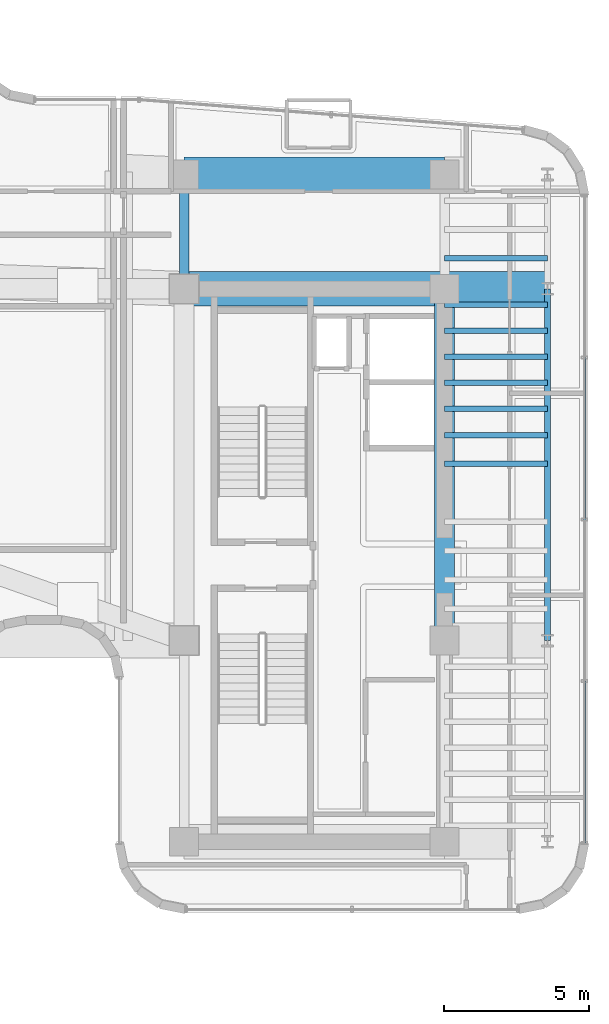
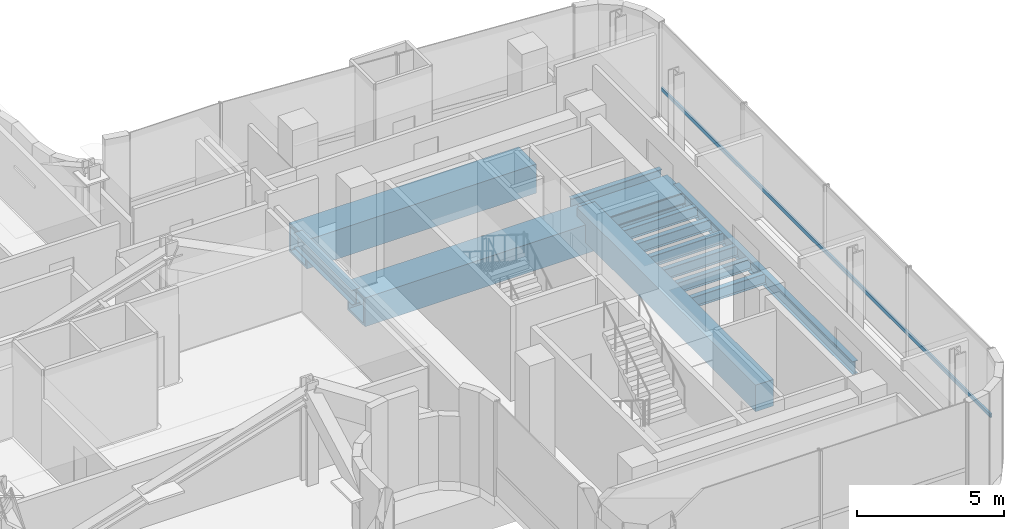
# One storey, part 15 of 37: 14 beams, 1 member, 1 element without a shape of its own.
"""IFC4 building model written with IfcOpenShell, lengths in metres."""

from ifc_helpers import new_model, si_unit, direction, frame, origin, origin_2d, place, context, subcontext, project, spatial, rectangle, hollow_rectangle, i_section, extrude, source, transform, mapped, material, material_profile, profile_set, type_object, element, aggregate, save


model = new_model("IFC4")

# Units and contexts
model_context = context("Model", 3, precision=1e-05, world=origin(), true_north=direction((0.0, 1.0)))
body_context = subcontext(model_context, "Body", "Model", "MODEL_VIEW")
ifc_project = project(units=[si_unit("LENGTHUNIT", "METRE"), si_unit("AREAUNIT", "SQUARE_METRE"), si_unit("VOLUMEUNIT", "CUBIC_METRE"), si_unit("PLANEANGLEUNIT", "RADIAN"), si_unit("MASSUNIT", "GRAM", prefix="KILO")], contexts=[model_context])

# Site, building, storey
site_placement = place(None, origin())
site = spatial("IfcSite", under=ifc_project, at=site_placement, CompositionType="ELEMENT")
building_placement = place(site_placement, origin())
building = spatial("IfcBuilding", under=site, at=building_placement, Name="Valdorenza Pilgrim Sanctuary Tower", CompositionType="ELEMENT")
storey_placement = place(building_placement, frame((0.0, 0.0, 172.300048828125)))
storey = spatial("IfcBuildingStorey", under=building, at=storey_placement, Name="L44", CompositionType="ELEMENT", Elevation=172.300048828125)

# Beams
ifc_material_1 = material(Name="Concrete C50/60", Category="concrete")
ifc_material_profile_1 = material_profile(ifc_material_1, rectangle(XDim=0.699951171875, YDim=1.10009765625, at=origin_2d()), Name="RC 1100x700")
ifc_profile_set_1 = profile_set([ifc_material_profile_1], Name="Concrete C50/60")
beam_type_1 = type_object("IfcBeamType", Name="STR-BM-LNT-1100", PredefinedType="LINTEL", material=ifc_profile_set_1)
shared_shape_1 = source(origin(), body_context, "Body", "SweptSolid", [
    extrude(rectangle(XDim=0.699951171875, YDim=1.10009765625, at=origin_2d()), origin(), (0.0, 0.0, 1.0), 12.150146484375),
])
beam_1_placement = place(storey_placement, frame((24.85009765625, -2.60009765625, -0.590087890625), z_axis=(0.0, 1.0, 0.0), x_axis=(-1.0, 0.0, 0.0)))
element("IfcBeam", 1, at=beam_1_placement, inside=storey, type_object=beam_type_1, Name="L44 Core B East Coupling Lintel Girder", PredefinedType="LINTEL", context=body_context, shape_type="MappedRepresentation", body=[
    mapped(shared_shape_1, transform((0.0, 0.0, 0.0), x_axis=(1.0, 0.0, 0.0), y_axis=(0.0, 1.0, 0.0), z_axis=(0.0, 0.0, 1.0), scale=1.0)),
])
ifc_material_2 = material(Name="Steel ASTM A992 Grade 50", Category="steel")
ifc_material_profile_2 = material_profile(ifc_material_2, i_section(OverallWidth=0.323974609375, OverallDepth=0.611083984375, WebThickness=0.0126953125, FlangeThickness=0.01904296875, at=origin_2d()), Name="W24X104")
ifc_profile_set_2 = profile_set([ifc_material_profile_2], Name="Steel ASTM A992 Grade 50")
beam_type_2 = type_object("IfcBeamType", Name="STR-BM-GRD-W24B", PredefinedType="BEAM", material=ifc_profile_set_2)
shared_shape_2 = source(origin(), body_context, "Body", "SweptSolid", [
    extrude(i_section(OverallWidth=0.323974609375, OverallDepth=0.611083984375, WebThickness=0.0126953125, FlangeThickness=0.01904296875, at=origin_2d()), origin(), (0.0, 0.0, 1.0), 3.949951171875),
])
beam_2_placement = place(storey_placement, frame((15.85009765625, 9.550048828125, -0.70556640625), z_axis=(0.0, 1.0, 0.0), x_axis=(-1.0, 0.0, 0.0)))
element("IfcBeam", 2, at=beam_2_placement, inside=storey, type_object=beam_type_2, Name="L44 Core Tie Girder CB-W-N1N2", PredefinedType="BEAM", context=body_context, shape_type="MappedRepresentation", body=[
    mapped(shared_shape_2, transform((0.0, 0.0, 0.0), x_axis=(1.0, 0.0, 0.0), y_axis=(0.0, 1.0, 0.0), z_axis=(0.0, 0.0, 1.0), scale=1.0)),
])
ifc_material_3 = material(Name="Steel ASTM A572 Grade 42", Category="steel")
ifc_material_profile_3 = material_profile(ifc_material_3, hollow_rectangle(XDim=1.199951171875, YDim=1.199951171875, WallThickness=0.090087890625, at=origin_2d()), Name="BOX 1200x1200x90")
ifc_profile_set_3 = profile_set([ifc_material_profile_3], Name="Steel ASTM A572 Grade 42")
beam_type_3 = type_object("IfcBeamType", Name="STR-BM-TRF-1200", PredefinedType="BEAM", material=ifc_profile_set_3)
shared_shape_3 = source(origin(), body_context, "Body", "SweptSolid", [
    extrude(hollow_rectangle(XDim=1.199951171875, YDim=1.199951171875, WallThickness=0.090087890625, at=origin_2d()), origin(), (0.0, 0.0, 1.0), 9.0),
])
for number, where, z_axis, x_axis, name in (
    (3, (15.85009765625, 9.550048828125, -1.0), (1.0, 0.0, 0.0), (0.0, 1.0, 0.0), "L44 Transfer Girder CB-XC-N1"),
    (4, (15.85009765625, 13.5, -1.0), (1.0, 0.0, 0.0), (0.0, 1.0, 0.0), "L44 Transfer Girder CB-XC-N2"),
):
    element("IfcBeam", number, at=place(storey_placement, frame(where, z_axis=z_axis, x_axis=x_axis)), inside=storey, type_object=beam_type_3, Name=name, PredefinedType="BEAM", context=body_context, shape_type="MappedRepresentation", body=[
        mapped(shared_shape_3, transform((0.0, 0.0, 0.0), x_axis=(1.0, 0.0, 0.0), y_axis=(0.0, 1.0, 0.0), z_axis=(0.0, 0.0, 1.0), scale=1.0)),
    ])
shared_shape_4 = source(origin(), body_context, "Body", "SweptSolid", [
    extrude(hollow_rectangle(XDim=1.199951171875, YDim=1.199951171875, WallThickness=0.090087890625, at=origin_2d()), origin(), (0.0, 0.0, 1.0), 3.5498046875),
])
beam_3_placement = place(storey_placement, frame((24.85009765625, 9.550048828125, -1.0), z_axis=(1.0, 0.0, 0.0), x_axis=(0.0, 1.0, 0.0)))
element("IfcBeam", 5, at=beam_3_placement, inside=storey, type_object=beam_type_3, Name="L44 Transfer Girder WB-XE-N1", PredefinedType="BEAM", context=body_context, shape_type="MappedRepresentation", body=[
    mapped(shared_shape_4, transform((0.0, 0.0, 0.0), x_axis=(1.0, 0.0, 0.0), y_axis=(0.0, 1.0, 0.0), z_axis=(0.0, 0.0, 1.0), scale=1.0)),
])
ifc_material_profile_4 = material_profile(ifc_material_2, i_section(OverallWidth=0.19091796875, OverallDepth=0.45703125, WebThickness=0.009033203125, FlangeThickness=0.014404296875, at=origin_2d()), Name="W18X50")
ifc_profile_set_4 = profile_set([ifc_material_profile_4], Name="Steel ASTM A992 Grade 50")
beam_type_4 = type_object("IfcBeamType", Name="STR-BM-JST-W18B", PredefinedType="JOIST", material=ifc_profile_set_4)
shared_shape_5 = source(origin(), body_context, "Body", "SweptSolid", [
    extrude(i_section(OverallWidth=0.19091796875, OverallDepth=0.45703125, WebThickness=0.009033203125, FlangeThickness=0.014404296875, at=origin_2d()), origin(), (0.0, 0.0, 1.0), 3.5498046875),
])
for number, where, z_axis, x_axis, name in (
    (6, (24.85009765625, 3.5, -0.628662109375), (1.0, 0.0, 0.0), (0.0, 1.0, 0.0), "L44 Composite Floor Joist JST-WB-12"),
    (7, (24.85009765625, 4.5, -0.628662109375), (1.0, 0.0, 0.0), (0.0, 1.0, 0.0), "L44 Composite Floor Joist JST-WB-13"),
    (8, (24.85009765625, 5.39990234375, -0.628662109375), (1.0, 0.0, 0.0), (0.0, 1.0, 0.0), "L44 Composite Floor Joist JST-WB-14"),
    (9, (24.85009765625, 6.300048828125, -0.628662109375), (1.0, 0.0, 0.0), (0.0, 1.0, 0.0), "L44 Composite Floor Joist JST-WB-15"),
    (10, (24.85009765625, 7.199951171875, -0.628662109375), (1.0, 0.0, 0.0), (0.0, 1.0, 0.0), "L44 Composite Floor Joist JST-WB-16"),
    (11, (24.85009765625, 8.10009765625, -0.628662109375), (1.0, 0.0, 0.0), (0.0, 1.0, 0.0), "L44 Composite Floor Joist JST-WB-17"),
    (12, (24.85009765625, 9.0, -0.628662109375), (1.0, 0.0, 0.0), (0.0, 1.0, 0.0), "L44 Composite Floor Joist JST-WB-18"),
    (13, (24.85009765625, 10.60009765625, -0.628662109375), (1.0, 0.0, 0.0), (0.0, 1.0, 0.0), "L44 Composite Floor Joist JST-WB-19"),
):
    element("IfcBeam", number, at=place(storey_placement, frame(where, z_axis=z_axis, x_axis=x_axis)), inside=storey, type_object=beam_type_4, Name=name, PredefinedType="JOIST", context=body_context, shape_type="MappedRepresentation", body=[
        mapped(shared_shape_5, transform((0.0, 0.0, 0.0), x_axis=(1.0, 0.0, 0.0), y_axis=(0.0, 1.0, 0.0), z_axis=(0.0, 0.0, 1.0), scale=1.0)),
    ])
ifc_material_profile_5 = material_profile(ifc_material_2, i_section(OverallWidth=0.2109375, OverallDepth=0.5390625, WebThickness=0.01171875, FlangeThickness=0.018798828125, at=origin_2d()), Name="W21X73")
ifc_profile_set_5 = profile_set([ifc_material_profile_5], Name="Steel ASTM A992 Grade 50")
beam_type_5 = type_object("IfcBeamType", Name="STR-BM-SPN-W21B", PredefinedType="SPANDREL", material=ifc_profile_set_5)
shared_shape_6 = source(origin(), body_context, "Body", "SweptSolid", [
    extrude(i_section(OverallWidth=0.2109375, OverallDepth=0.5390625, WebThickness=0.01171875, FlangeThickness=0.018798828125, at=origin_2d()), origin(), (0.0, 0.0, 1.0), 12.150146484375),
])
beam_4_placement = place(storey_placement, frame((28.39990234375, -2.60009765625, -0.66943359375), z_axis=(0.0, 1.0, 0.0), x_axis=(-1.0, 0.0, 0.0)))
element("IfcBeam", 14, at=beam_4_placement, inside=storey, type_object=beam_type_5, Name="L44 Spandrel Beam WB-E-M0N1", PredefinedType="SPANDREL", context=body_context, shape_type="MappedRepresentation", body=[
    mapped(shared_shape_6, transform((0.0, 0.0, 0.0), x_axis=(1.0, 0.0, 0.0), y_axis=(0.0, 1.0, 0.0), z_axis=(0.0, 0.0, 1.0), scale=1.0)),
])

# Curtain wall, member
ifc_material_4 = material(Name="Curtain-wall IGU glazing", Category="glass")
curtain_wall_type = type_object("IfcCurtainWallType", Name="CW-SYS-03", PredefinedType="NOTDEFINED", material=ifc_material_4)
curtain_wall_placement = place(storey_placement, origin())
curtain_wall = element("IfcCurtainWall", 15, at=curtain_wall_placement, inside=storey, type_object=curtain_wall_type, Name="L44 Curtain Wall CW-L44-1-37", PredefinedType="NOTDEFINED")
ifc_material_5 = material(Name="Anodised aluminium AW-6060", Category="aluminium")
ifc_material_profile_6 = material_profile(ifc_material_5, hollow_rectangle(XDim=0.074951171875, YDim=0.159912109375, WallThickness=0.00390625, at=origin_2d()), Name="ALU-T 160x75x4")
ifc_profile_set_6 = profile_set([ifc_material_profile_6], Name="Anodised aluminium AW-6060")
member_type = type_object("IfcMemberType", Name="CW-TRN-03", PredefinedType="USERDEFINED", material=ifc_profile_set_6)
shared_shape_7 = source(origin(), body_context, "Body", "SweptSolid", [
    extrude(hollow_rectangle(XDim=0.074951171875, YDim=0.159912109375, WallThickness=0.00390625, at=origin_2d()), origin(), (0.0, 0.0, 1.0), 22.357421875),
])
member_placement = place(storey_placement, frame((29.68994140625, 12.768310546875, 1.119873046875), z_axis=(0.0, -1.0, 0.0), x_axis=(1.0, 0.0, 0.0)))
member = element("IfcMember", 16, at=member_placement, type_object=member_type, Name="CW-L44-1-37 Transom 1", ObjectType="TRANSOM", PredefinedType="USERDEFINED", context=body_context, shape_type="MappedRepresentation", body=[
    mapped(shared_shape_7, transform((0.0, 0.0, 0.0), x_axis=(1.0, 0.0, 0.0), y_axis=(0.0, 1.0, 0.0), z_axis=(0.0, 0.0, 1.0), scale=1.0)),
])
aggregate(curtain_wall, [member])

save(model, "model.ifc")
